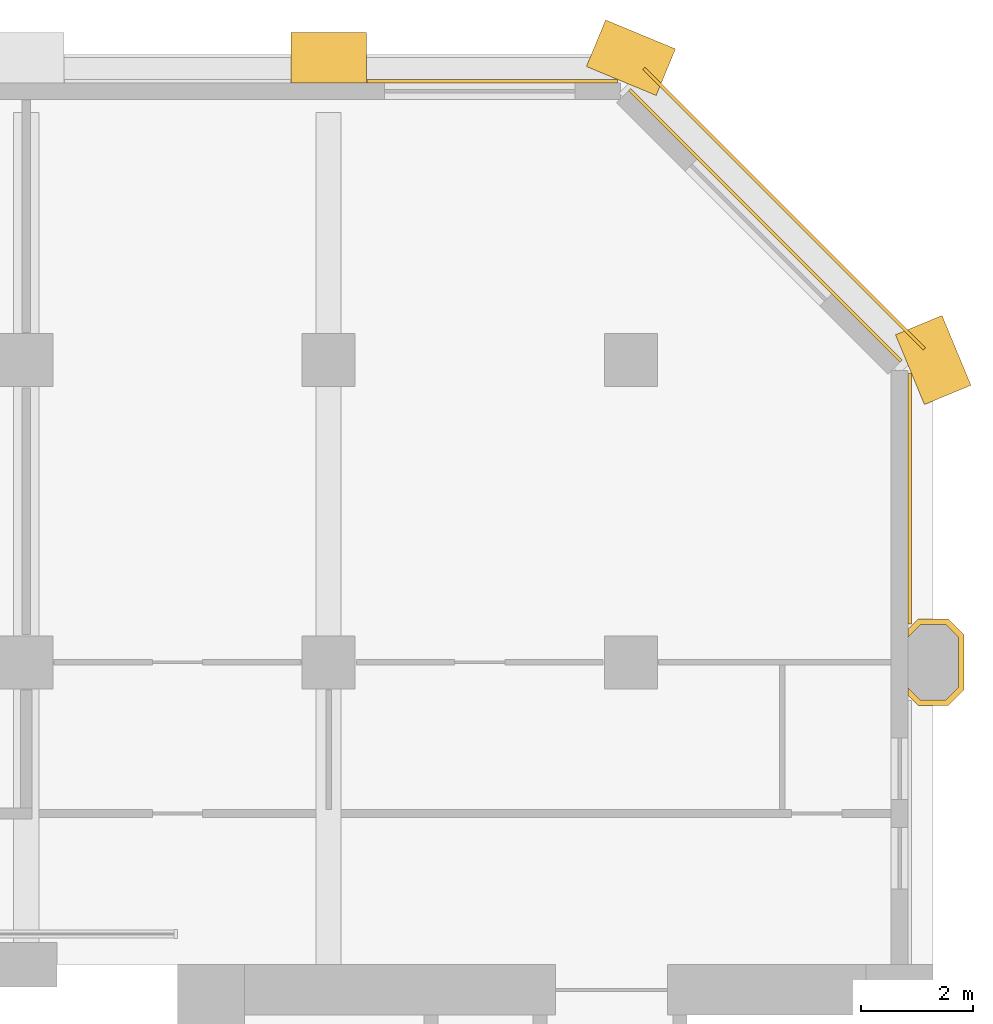
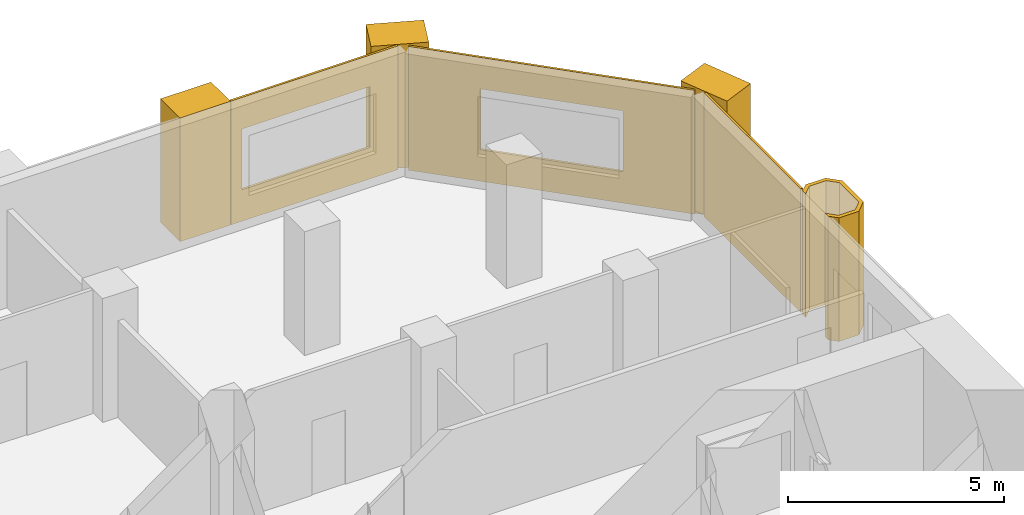
# One storey, part 13 of 13: 8 coverings.
"""IFC4 building model written with IfcOpenShell, lengths in metres."""

from ifc_helpers import new_model, si_unit, direction, frame, frame_2d, origin, place, context, subcontext, project, spatial, polyline, rectangle, outline, extrude, material, layer, layer_set, type_object, element, save


model = new_model("IFC4")

# Units and contexts
model_context = context("Model", 3, precision=1e-05, world=origin(), true_north=direction((0.0, 1.0)))
body_context = subcontext(model_context, "Body", "Model", "MODEL_VIEW")
ifc_project = project(units=[si_unit("LENGTHUNIT", "METRE"), si_unit("AREAUNIT", "SQUARE_METRE"), si_unit("VOLUMEUNIT", "CUBIC_METRE"), si_unit("PLANEANGLEUNIT", "RADIAN"), si_unit("MASSUNIT", "GRAM", prefix="KILO")], contexts=[model_context])

# Site, building, storey
site_placement = place(None, origin())
site = spatial("IfcSite", under=ifc_project, at=site_placement, CompositionType="ELEMENT")
building_placement = place(site_placement, origin())
building = spatial("IfcBuilding", under=site, at=building_placement, Name="Tabaq Tower and Sports Hall", CompositionType="ELEMENT")
storey_placement = place(building_placement, frame((0.0, 0.0, 110.60009765625)))
storey = spatial("IfcBuildingStorey", under=building, at=storey_placement, Name="L26", CompositionType="ELEMENT", Elevation=110.60009765625)

# Coverings
ifc_material_1 = material(Name="Precast concrete C60/75", Category="concrete")
ifc_layer_1 = layer(ifc_material_1, 0.10009765625)
ifc_layer_set_1 = layer_set([ifc_layer_1], Name="Column cladding 100")
covering_type_1 = type_object("IfcCoveringType", Name="Column cladding 100", PredefinedType="CLADDING", material=ifc_layer_set_1)
covering_1_placement = place(storey_placement, origin())
element("IfcCovering", 1, at=covering_1_placement, inside=storey, type_object=covering_type_1, Name="Column cladding L26 PC-9H-O3", PredefinedType="CLADDING", context=body_context, shape_type="SweptSolid", body=[
    extrude(outline(polyline([(42.93359375, 37.025390625), (42.750244140625, 37.208740234375), (42.750244140625, 37.349365234375), (42.974853515625, 37.124755859375), (43.425048828125, 37.124755859375), (43.650390625, 37.349853515625), (43.650390625, 38.250244140625), (43.425048828125, 38.475341796875), (42.974853515625, 38.475341796875), (42.750244140625, 38.250732421875), (42.750244140625, 38.391357421875), (42.93359375, 38.57470703125), (43.46630859375, 38.57470703125), (43.749755859375, 38.291259765625), (43.749755859375, 37.30859375), (43.46630859375, 37.025390625), (42.93359375, 37.025390625)])), origin(), (0.0, 0.0, 1.0), 3.5),
])
ifc_material_2 = material(Name="Precast concrete C60/75", Category="concrete")
ifc_layer_2 = layer(ifc_material_2, 0.06005859375)
ifc_layer_set_2 = layer_set([ifc_layer_2], Name="Edge beam cladding 60")
covering_type_2 = type_object("IfcCoveringType", Name="Edge beam cladding 60", PredefinedType="CLADDING", material=ifc_layer_set_2)
covering_2_placement = place(storey_placement, frame((43.04443359375, 43.39794921875, -0.300048828125), z_axis=(0.0, 0.0, 1.0), x_axis=(-0.707106781187, 0.707106781187, 0.0)))
element("IfcCovering", 2, at=covering_2_placement, inside=storey, type_object=covering_type_2, Name="Edge beam cladding L26 1", PredefinedType="CLADDING", context=body_context, shape_type="SweptSolid", body=[
    extrude(rectangle(XDim=7.08837890625, YDim=0.06005859375, at=frame_2d((3.544189453125, 0.0))), origin(), (0.0, 0.0, 1.0), 0.300048828125),
])
ifc_material_3 = material(Name="White precast concrete C60/75", Category="concrete")
covering_type_3 = type_object("IfcCoveringType", Name="Pier cladding hung 1350x900", PredefinedType="CLADDING", material=ifc_material_3)
covering_3_placement = place(storey_placement, frame((33.074951171875, 48.60009765625, 0.0), z_axis=(0.0, 0.0, 1.0), x_axis=(-1.0, 0.0, 0.0)))
element("IfcCovering", 3, at=covering_3_placement, inside=storey, type_object=covering_type_3, Name="Hung pier cladding 6/9", PredefinedType="CLADDING", context=body_context, shape_type="SweptSolid", body=[
    extrude(rectangle(XDim=1.349853515625, YDim=0.89990234375, at=frame_2d((0.6748046875, 0.0))), origin(), (0.0, 0.0, 1.0), 3.5),
])
for number, where, z_axis, x_axis, name in (
    (4, (38.423583984375, 48.341796875, 0.0), (0.0, 0.0, 1.0), (-0.923893411637, 0.382649923473, 0.0), "Hung pier cladding 7/9"),
    (5, (43.458251953125, 42.576416015625, 0.0), (0.0, 0.0, 1.0), (-0.382649923473, 0.923893411637, 0.0), "Hung pier cladding 8/8"),
):
    element("IfcCovering", number, at=place(storey_placement, frame(where, z_axis=z_axis, x_axis=x_axis)), inside=storey, type_object=covering_type_3, Name=name, PredefinedType="CLADDING", context=body_context, shape_type="SweptSolid", body=[
        extrude(rectangle(XDim=1.35009765625, YDim=0.89990234375, at=frame_2d((0.675048828125, 0.0))), origin(), (0.0, 0.0, 1.0), 3.5),
    ])
ifc_material_4 = material(Name="Precast concrete C60/75", Category="concrete")
ifc_layer_3 = layer(ifc_material_4, 0.06005859375)
ifc_layer_set_3 = layer_set([ifc_layer_3], Name="White precast cladding panel 60 C60/75")
covering_type_4 = type_object("IfcCoveringType", Name="White precast cladding panel 60 C60/75", PredefinedType="CLADDING", material=ifc_layer_set_3)
covering_4_placement = place(storey_placement, frame((42.780029296875, 38.485107421875, 0.0), z_axis=(0.0, 0.0, 1.0), x_axis=(0.0, 1.0, 0.0)))
element("IfcCovering", 6, at=covering_4_placement, inside=storey, type_object=covering_type_4, Name="White precast cladding panel L26 wall02-1 2", PredefinedType="CLADDING", context=body_context, shape_type="SweptSolid", body=[
    extrude(rectangle(XDim=4.4716796875, YDim=0.06005859375, at=frame_2d((2.23583984375, 0.0))), origin(), (0.0, 0.0, 1.0), 3.5),
])
covering_5_placement = place(storey_placement, frame((42.628173828125, 43.177734375, 0.0), z_axis=(0.0, 0.0, 1.0), x_axis=(-0.707088985397, 0.707124576528, 0.0)))
element("IfcCovering", 7, at=covering_5_placement, inside=storey, type_object=covering_type_4, Name="White precast cladding panel L26 wall03", PredefinedType="CLADDING", context=body_context, shape_type="SweptSolid", body=[
    extrude(outline(polyline([(0.0, 0.0), (6.859619140625, 0.0), (6.859619140625, 3.5), (0.0, 3.5), (0.0, 0.0)]), holes=[polyline([(1.7197265625, 0.889892578125), (1.7197265625, 2.60986328125), (5.139892578125, 2.60986328125), (5.139892578125, 0.889892578125), (1.7197265625, 0.889892578125)])]), frame((0.0, 0.030029296875, 0.0), z_axis=(0.0, -1.0, 0.0), x_axis=(1.0, 0.0, 0.0)), (0.0, 0.0, 1.0), 0.06005859375),
])
covering_6_placement = place(storey_placement, frame((37.556884765625, 48.179931640625, 0.0), z_axis=(0.0, 0.0, 1.0), x_axis=(-1.0, 0.0, 0.0)))
element("IfcCovering", 8, at=covering_6_placement, inside=storey, type_object=covering_type_4, Name="White precast cladding panel L26 wall04", PredefinedType="CLADDING", context=body_context, shape_type="SweptSolid", body=[
    extrude(outline(polyline([(0.0, 0.0), (4.471923828125, 0.0), (4.471923828125, 3.5), (0.0, 3.5), (0.0, 0.0)]), holes=[polyline([(0.746826171875, 0.889892578125), (0.746826171875, 2.60986328125), (4.166748046875, 2.60986328125), (4.166748046875, 0.889892578125), (0.746826171875, 0.889892578125)])]), frame((0.0, 0.030029296875, 0.0), z_axis=(0.0, -1.0, 0.0), x_axis=(1.0, 0.0, 0.0)), (0.0, 0.0, 1.0), 0.06005859375),
])

save(model, "model.ifc")
